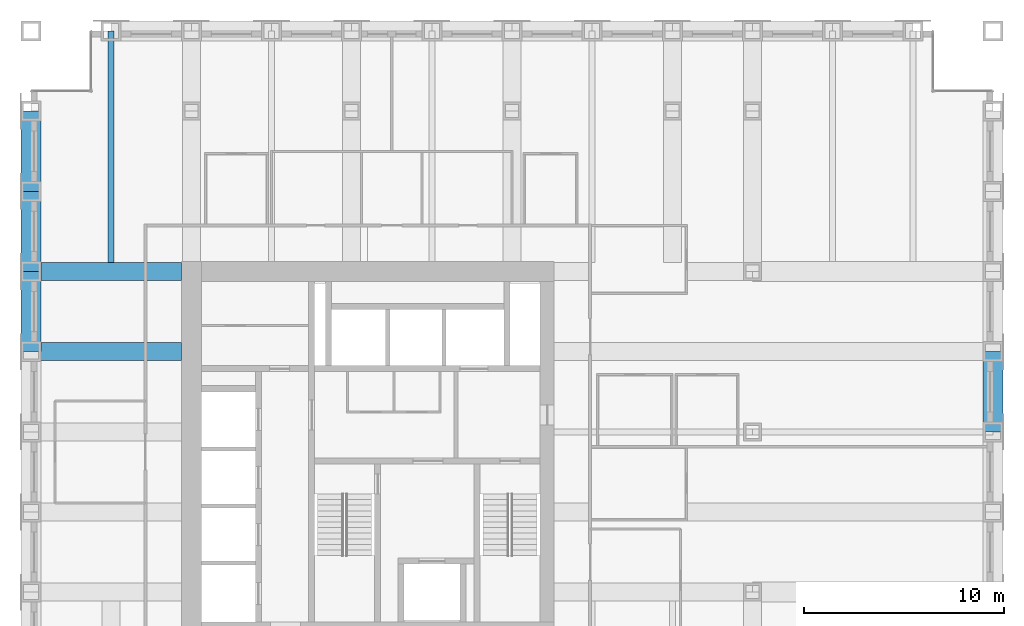
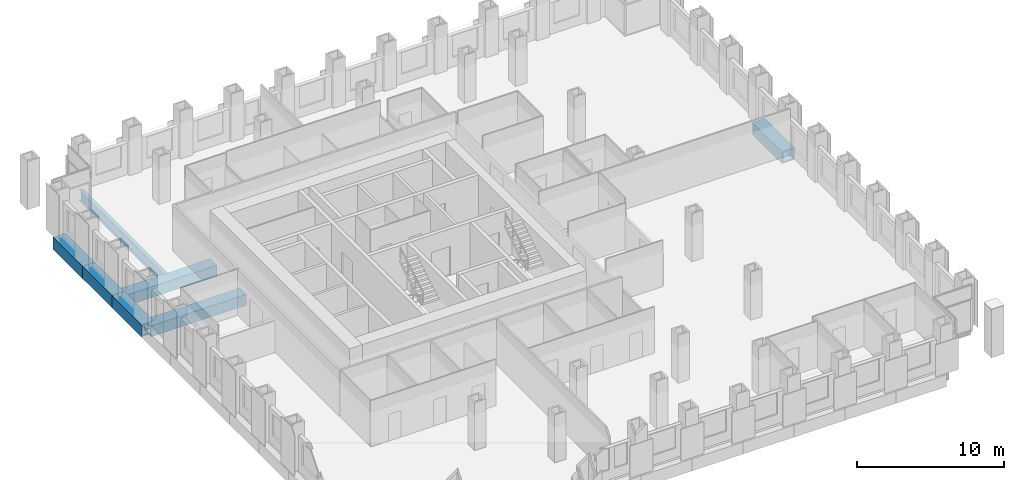
# One storey, part 5 of 17: 7 beams.
"""IFC4 building model written with IfcOpenShell, lengths in metres."""

import ifcopenshell
import ifcopenshell.guid

model = None  # the IFC model being written
_history = None  # IfcOwnerHistory: only IFC2X3 demands one
_inside = {}  # id of a spatial element -> (the spatial element, [elements in it])
_under = {}  # id of a project, library or spatial element -> (it, [spatial elements below it])
_declared = {}  # id of a project -> (the project, [libraries it declares])
_typed = {}  # id of a type object -> (the type object, [elements of that type])
_made_of = {}  # id of a material, layer set ... -> (it, [elements and type objects made of it])


def new_model(schema):
    """Start an empty IFC model of exactly this schema.

    Asked for "IFC4X3", IfcOpenShell would pick the latest addendum, in which some entities
    have other attributes; the version numbers below select the first issue.
    IFC2X3 requires an IfcOwnerHistory on every rooted entity: one is made here for all.
    """
    global model, _history
    if schema == "IFC4X3":
        model = ifcopenshell.file(schema_version=(4, 3, 0, 0))
    else:
        model = ifcopenshell.file(schema=schema)
    _inside.clear()
    _under.clear()
    _declared.clear()
    _typed.clear()
    _made_of.clear()
    _history = None
    if model.schema == "IFC2X3":
        org = make("IfcOrganization", Name="unknown")
        user = make(
            "IfcPersonAndOrganization",
            ThePerson=make("IfcPerson", FamilyName="unknown"),
            TheOrganization=org,
        )
        app = make(
            "IfcApplication",
            ApplicationDeveloper=org,
            Version="unknown",
            ApplicationFullName="unknown",
            ApplicationIdentifier="unknown",
        )
        _history = make(
            "IfcOwnerHistory",
            OwningUser=user,
            OwningApplication=app,
            ChangeAction="ADDED",
            CreationDate=0,
        )
    return model


def make(cls, **values):
    """One entity of the class cls with the attributes given. An attribute that is None is left unset."""
    return model.create_entity(
        cls, **{name: value for name, value in values.items() if value is not None}
    )


def rooted(cls, **values):
    """An entity with a GlobalId (a new one), such as an element, a storey or a relation."""
    return make(cls, GlobalId=ifcopenshell.guid.new(), OwnerHistory=_history, **values)


def si_unit(unit_type, name, prefix=None):
    """IfcSIUnit, for example si_unit("LENGTHUNIT", "METRE", prefix="MILLI")."""
    return make("IfcSIUnit", UnitType=unit_type, Prefix=prefix, Name=name)


def assignment(units):
    """IfcUnitAssignment: the units of a project."""
    return None if units is None else make("IfcUnitAssignment", Units=units)


def point(xyz):
    """IfcCartesianPoint."""
    return None if xyz is None else make("IfcCartesianPoint", Coordinates=xyz)


def direction(xyz):
    """IfcDirection."""
    return None if xyz is None else make("IfcDirection", DirectionRatios=xyz)


def frame(location, z_axis=None, x_axis=None):
    """IfcAxis2Placement3D, a coordinate frame: its origin and axes. An axis left out is left unset."""
    return make(
        "IfcAxis2Placement3D",
        Location=point(location),
        Axis=direction(z_axis),
        RefDirection=direction(x_axis),
    )


def frame_2d(location, x_axis=None):
    """IfcAxis2Placement2D, a coordinate frame in the plane: its origin and x axis."""
    return make(
        "IfcAxis2Placement2D", Location=point(location), RefDirection=direction(x_axis)
    )


def origin():
    """The frame at (0, 0, 0) with its axes left unset."""
    return frame((0.0, 0.0, 0.0))


def origin_2d():
    """The frame at (0, 0) in the plane with its x axis left unset."""
    return frame_2d((0.0, 0.0))


def place(relative_to, where):
    """IfcLocalPlacement: puts the frame where relative to a parent placement (None: the world)."""
    return make(
        "IfcLocalPlacement", PlacementRelTo=relative_to, RelativePlacement=where
    )


def context(
    kind, dimensions, precision=None, world=None, true_north=None, identifier=None
):
    """IfcGeometricRepresentationContext, for example the 3D "Model" context."""
    return make(
        "IfcGeometricRepresentationContext",
        ContextIdentifier=identifier,
        ContextType=kind,
        CoordinateSpaceDimension=dimensions,
        Precision=precision,
        WorldCoordinateSystem=world,
        TrueNorth=true_north,
    )


def subcontext(parent, identifier, kind, view, scale=None):
    """IfcGeometricRepresentationSubContext, for example "Body" below "Model"."""
    return make(
        "IfcGeometricRepresentationSubContext",
        ContextIdentifier=identifier,
        ContextType=kind,
        ParentContext=parent,
        TargetScale=scale,
        TargetView=view,
    )


def project(units=None, contexts=None):
    """IfcProject with its units and contexts."""
    return rooted(
        "IfcProject",
        Name="project",
        RepresentationContexts=contexts,
        UnitsInContext=assignment(units),
    )


def spatial(cls, under=None, at=None, **own):
    """A site, building, storey or space (cls), placed at a placement, below another one or the project."""
    s = rooted(cls, ObjectPlacement=at, **own)
    if under is not None:
        _under.setdefault(under.id(), (under, []))[1].append(s)
    return s


def profile(cls, at=None, kind="AREA", **sizes):
    """A parametric profile (cls). Its sizes go by their IFC names, for example OverallWidth=200.0."""
    return make(cls, ProfileType=kind, Position=at, **sizes)


def hollow_rectangle(**sizes):
    """IfcRectangleHollowProfileDef."""
    return profile("IfcRectangleHollowProfileDef", **sizes)


def i_section(**sizes):
    """IfcIShapeProfileDef."""
    return profile("IfcIShapeProfileDef", **sizes)


def extrude(swept, where, along, depth):
    """IfcExtrudedAreaSolid: the profile swept, set in the frame where, extruded along a direction by depth."""
    return make(
        "IfcExtrudedAreaSolid",
        SweptArea=swept,
        Position=where,
        ExtrudedDirection=direction(along),
        Depth=depth,
    )


def shape(context_of_items, identifier, shape_type, items):
    """IfcShapeRepresentation: the items that make up one representation, for example the "Body"."""
    return make(
        "IfcShapeRepresentation",
        ContextOfItems=context_of_items,
        RepresentationIdentifier=identifier,
        RepresentationType=shape_type,
        Items=items,
    )


def material(Name=None, Category=None):
    """IfcMaterial."""
    return make("IfcMaterial", Name=Name, Category=Category)


def material_profile(
    of_material, cross_section, Name=None, Category=None, Priority=None
):
    """IfcMaterialProfile: a cross section and its material."""
    return make(
        "IfcMaterialProfile",
        Name=Name,
        Material=of_material,
        Profile=cross_section,
        Priority=Priority,
        Category=Category,
    )


def profile_set(profiles, Name=None, composite=None):
    """IfcMaterialProfileSet."""
    return make(
        "IfcMaterialProfileSet",
        Name=Name,
        MaterialProfiles=profiles,
        CompositeProfile=composite,
    )


def made_of(thing, what):
    """Note that an element or type object is made of a material, layer set ...; save() writes the relation."""
    if what is not None:
        _made_of.setdefault(what.id(), (what, []))[1].append(thing)
    return thing


def type_object(cls, material=None, **own):
    """A type object (cls), such as IfcWallType, which elements share."""
    return made_of(rooted(cls, **own), material)


def element(
    cls,
    number,
    at=None,
    inside=None,
    cuts=None,
    type_object=None,
    material=None,
    context=None,
    identifier="Body",
    shape_type=None,
    held_by="IfcProductDefinitionShape",
    body=None,
    shapes=None,
    **own,
):
    """One element of the class cls, such as IfcWall. Its Tag is "e" and its number.

    at: its placement. inside: the storey or other place that contains it. cuts: it is an
    opening in that element (IfcRelVoidsElement). A single representation is given by context,
    identifier, shape_type and body (its items); several are given by shapes. held_by: the class
    of the entity that holds the representations. save() writes the other relations.
    """
    e = rooted(cls, Tag="e%d" % number, ObjectPlacement=at, **own)
    if body is not None:
        shapes = [shape(context, identifier, shape_type, body)]
    if shapes is not None:
        e.Representation = make(held_by, Representations=shapes)
    if inside is not None:
        _inside.setdefault(inside.id(), (inside, []))[1].append(e)
    if cuts is not None:
        rooted(
            "IfcRelVoidsElement", RelatingBuildingElement=cuts, RelatedOpeningElement=e
        )
    if type_object is not None:
        _typed.setdefault(type_object.id(), (type_object, []))[1].append(e)
    return made_of(e, material)


def aggregate(whole, parts):
    """IfcRelAggregates: a whole, such as a stair, and the parts it consists of."""
    return rooted("IfcRelAggregates", RelatingObject=whole, RelatedObjects=parts)


def save(model, path):
    """Write the relations noted so far, then the file.

    IfcRelAggregates (storeys below a building ...), IfcRelContainedInSpatialStructure (elements
    in a storey), IfcRelDefinesByType, IfcRelAssociatesMaterial and IfcRelDeclares: one each for
    every whole, place, type object, material and project.
    """
    for whole, parts in _under.values():
        aggregate(whole, parts)
    for where, things in _inside.values():
        rooted(
            "IfcRelContainedInSpatialStructure",
            RelatedElements=things,
            RelatingStructure=where,
        )
    for kind, things in _typed.values():
        rooted("IfcRelDefinesByType", RelatedObjects=things, RelatingType=kind)
    for what, things in _made_of.values():
        rooted("IfcRelAssociatesMaterial", RelatedObjects=things, RelatingMaterial=what)
    for by, libraries in _declared.values():
        rooted("IfcRelDeclares", RelatingContext=by, RelatedDefinitions=libraries)
    model.write(path)


model = new_model("IFC4")

# Units and contexts
model_context = context("Model", 3, precision=1e-05, world=origin(), true_north=direction((0.0, 1.0)))
body_context = subcontext(model_context, "Body", "Model", "MODEL_VIEW")
ifc_project = project(units=[si_unit("LENGTHUNIT", "METRE"), si_unit("AREAUNIT", "SQUARE_METRE"), si_unit("VOLUMEUNIT", "CUBIC_METRE"), si_unit("PLANEANGLEUNIT", "RADIAN"), si_unit("MASSUNIT", "GRAM", prefix="KILO")], contexts=[model_context])

# Site, building, storey
site_placement = place(None, origin())
site = spatial("IfcSite", under=ifc_project, at=site_placement, CompositionType="ELEMENT")
building_placement = place(site_placement, origin())
building = spatial("IfcBuilding", under=site, at=building_placement, Name="Rimbunsela Tower", CompositionType="ELEMENT")
storey_placement = place(building_placement, frame((0.0, 0.0, 101.39990234375)))
storey = spatial("IfcBuildingStorey", under=building, at=storey_placement, Name="L24", CompositionType="ELEMENT", Elevation=101.39990234375)

# Beams
ifc_material_1 = material(Name="Steel BJ 55 (fy 410 MPa)", Category="steel")
ifc_material_profile_1 = material_profile(ifc_material_1, hollow_rectangle(XDim=1.0, YDim=1.0, WallThickness=0.10009765625, at=origin_2d()), Name="BOX 1000x1000x100")
ifc_profile_set_1 = profile_set([ifc_material_profile_1], Name="Steel BJ 55 (fy 410 MPa)")
beam_type_1 = type_object("IfcBeamType", Name="Beam BOX 1000x1000x100", PredefinedType="BEAM", material=ifc_profile_set_1)
for number, where, z_axis, x_axis, name in (
    (1, (10.0, 32.0, -0.64990234375), (0.0, 1.0, 0.0), (-1.0, 0.0, 0.0), "Beam B3 L24"),
    (2, (10.0, 36.0, -0.64990234375), (0.0, 1.0, 0.0), (-1.0, 0.0, 0.0), "Beam B3 L24"),
    (3, (10.0, 40.0, -0.64990234375), (0.0, 1.0, 0.0), (-1.0, 0.0, 0.0), "Beam B3 L24"),
    (4, (58.0, 28.0, -0.64990234375), (0.0, 1.0, 0.0), (-1.0, 0.0, 0.0), "Beam B3 L24"),
):
    element("IfcBeam", number, at=place(storey_placement, frame(where, z_axis=z_axis, x_axis=x_axis)), inside=storey, type_object=beam_type_1, Name=name, PredefinedType="BEAM", context=body_context, shape_type="SweptSolid", body=[
        extrude(hollow_rectangle(XDim=1.0, YDim=1.0, WallThickness=0.10009765625, at=origin_2d()), origin(), (0.0, 0.0, 1.0), 4.0),
    ])
ifc_material_2 = material(Name="Steel BJ 55 (fy 410 MPa)", Category="steel")
ifc_material_profile_2 = material_profile(ifc_material_2, hollow_rectangle(XDim=0.89990234375, YDim=0.89990234375, WallThickness=0.06005859375, at=origin_2d()), Name="BOX 900x900x60")
ifc_profile_set_2 = profile_set([ifc_material_profile_2], Name="Steel BJ 55 (fy 410 MPa)")
beam_type_2 = type_object("IfcBeamType", Name="Beam BOX 900x900x60", PredefinedType="BEAM", material=ifc_profile_set_2)
for number, where, z_axis, x_axis, name in (
    (5, (10.0, 32.0, -0.599853515625), (1.0, 0.0, 0.0), (0.0, 1.0, 0.0), "Beam B1 L24"),
    (6, (10.0, 36.0, -0.599853515625), (1.0, 0.0, 0.0), (0.0, 1.0, 0.0), "Beam B1 L24"),
):
    element("IfcBeam", number, at=place(storey_placement, frame(where, z_axis=z_axis, x_axis=x_axis)), inside=storey, type_object=beam_type_2, Name=name, PredefinedType="BEAM", context=body_context, shape_type="SweptSolid", body=[
        extrude(hollow_rectangle(XDim=0.89990234375, YDim=0.89990234375, WallThickness=0.06005859375, at=origin_2d()), origin(), (0.0, 0.0, 1.0), 7.5),
    ])
ifc_material_3 = material(Name="Steel BJ 55 (fy 410 MPa)", Category="steel")
ifc_material_profile_3 = material_profile(ifc_material_3, i_section(OverallWidth=0.300048828125, OverallDepth=0.89990234375, WebThickness=0.01611328125, FlangeThickness=0.028076171875, FilletRadius=0.028076171875, at=origin_2d()), Name="H 900x300x16x28")
ifc_profile_set_3 = profile_set([ifc_material_profile_3], Name="Steel BJ 55 (fy 410 MPa)")
beam_type_3 = type_object("IfcBeamType", Name="Beam H 900x300x16x28", PredefinedType="BEAM", material=ifc_profile_set_3)
beam_placement = place(storey_placement, frame((14.0, 36.449951171875, -0.599853515625), z_axis=(0.0, 1.0, 0.0), x_axis=(-1.0, 0.0, 0.0)))
element("IfcBeam", 7, at=beam_placement, inside=storey, type_object=beam_type_3, Name="Beam B2 L24", PredefinedType="BEAM", context=body_context, shape_type="SweptSolid", body=[
    extrude(i_section(OverallWidth=0.300048828125, OverallDepth=0.89990234375, WebThickness=0.01611328125, FlangeThickness=0.028076171875, FilletRadius=0.028076171875, at=origin_2d()), origin(), (0.0, 0.0, 1.0), 11.550048828125),
])

save(model, "model.ifc")
